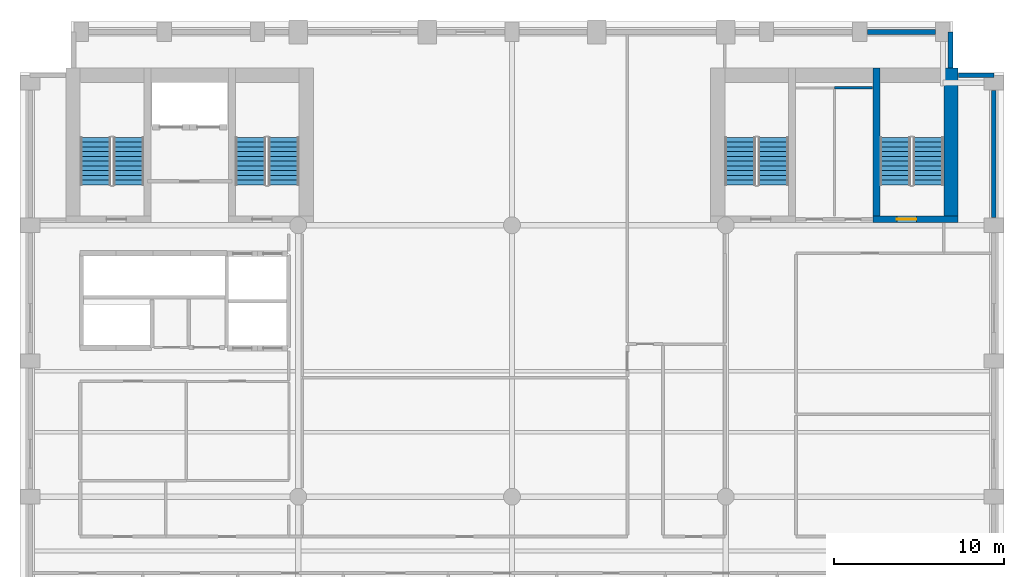
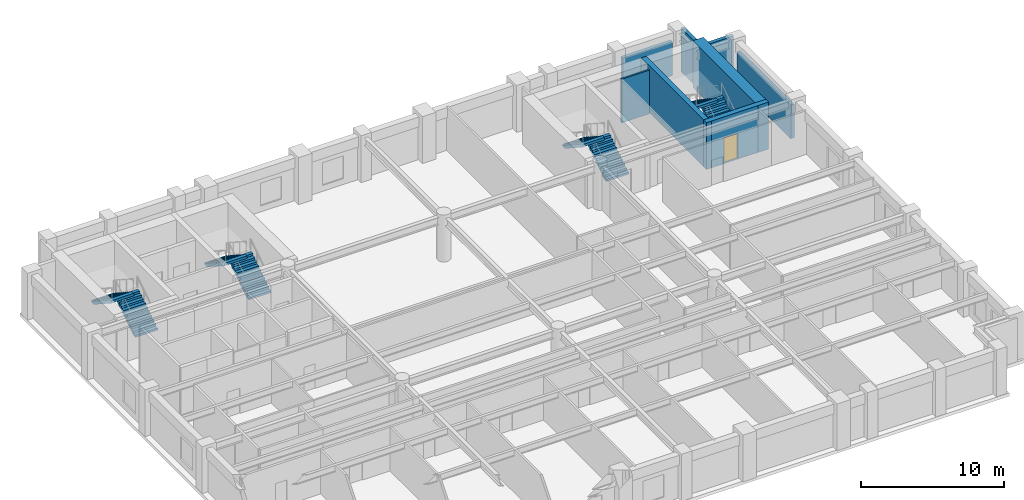
# One storey, part 6 of 8: 8 stair flights, 8 walls, 1 door, 1 opening, 4 elements without a shape of their own.
"""IFC4 building model written with IfcOpenShell, lengths in metres."""

from ifc_helpers import new_model, si_unit, direction, frame, frame_2d, origin, place, context, subcontext, project, spatial, polyline, rectangle, outline, extrude, material, layer, layer_set, type_object, element, fill, aggregate, save


model = new_model("IFC4")

# Units and contexts
model_context = context("Model", 3, precision=1e-05, world=origin(), true_north=direction((0.0, 1.0)))
body_context = subcontext(model_context, "Body", "Model", "MODEL_VIEW")
ifc_project = project(units=[si_unit("LENGTHUNIT", "METRE"), si_unit("AREAUNIT", "SQUARE_METRE"), si_unit("VOLUMEUNIT", "CUBIC_METRE"), si_unit("PLANEANGLEUNIT", "RADIAN"), si_unit("MASSUNIT", "GRAM", prefix="KILO")], contexts=[model_context])

# Site, building, storey
site_placement = place(None, origin())
site = spatial("IfcSite", under=ifc_project, at=site_placement, CompositionType="ELEMENT")
building_placement = place(site_placement, origin())
building = spatial("IfcBuilding", under=site, at=building_placement, Name="Sulina Concourse Tower", CompositionType="ELEMENT")
storey_placement = place(building_placement, frame((0.0, 0.0, 152.60009765625)))
storey = spatial("IfcBuildingStorey", under=building, at=storey_placement, Name="L37", CompositionType="ELEMENT", Elevation=152.60009765625)

# Wall
ifc_material_1 = material(Name="Gypsum board on steel stud", Category="steel")
ifc_layer_1 = layer(ifc_material_1, 0.14990234375)
ifc_layer_set_1 = layer_set([ifc_layer_1], Name="Gypsum board on steel stud")
wall_type_1 = type_object("IfcWallType", Name="Inter-Tenancy Acoustic Partition 150mm", PredefinedType="PARTITIONING", material=ifc_layer_set_1)
wall_1_placement = place(storey_placement, frame((48.0, 42.10009765625, 0.0), z_axis=(0.0, 0.0, 1.0), x_axis=(1.0, 0.0, 0.0)))
element("IfcWall", 1, at=wall_1_placement, inside=storey, type_object=wall_type_1, Name="L37 interior partition 031", PredefinedType="PARTITIONING", context=body_context, shape_type="SweptSolid", body=[
    extrude(rectangle(XDim=2.25, YDim=0.14990234375, at=frame_2d((1.125, 0.0))), origin(), (0.0, 0.0, 1.0), 3.724853515625),
])

# Wall, opening, door
ifc_material_2 = material(Name="Concrete C60/75", Category="concrete")
ifc_layer_2 = layer(ifc_material_2, 0.39990234375)
ifc_layer_set_2 = layer_set([ifc_layer_2], Name="Concrete C60/75")
wall_type_2 = type_object("IfcWallType", Name="Protected Stair Core Shear Wall 400mm", PredefinedType="SHEAR", material=ifc_layer_set_2)
wall_2_placement = place(storey_placement, frame((50.2900390625, 34.35009765625, 0.0), z_axis=(0.0, 0.0, 1.0), x_axis=(1.0, 0.0, 0.0)))
wall_2 = element("IfcWall", 2, at=wall_2_placement, inside=storey, type_object=wall_type_2, Name="L37 east core shear wall CW-ES2", PredefinedType="SHEAR", context=body_context, shape_type="SweptSolid", body=[
    extrude(rectangle(XDim=5.010009765625, YDim=0.39990234375, at=frame_2d((2.5048828125, 0.0))), origin(), (0.0, 0.0, 1.0), 4.0),
])
opening_placement = place(wall_2_placement, frame((1.39990234375, 0.0, 0.0)))
opening = element("IfcOpeningElement", 3, at=opening_placement, cuts=wall_2, Name="Opening DR-60", PredefinedType="OPENING", context=body_context, shape_type="SweptSolid", body=[
    extrude(rectangle(XDim=1.14990234375, YDim=2.199951171875, at=frame_2d((0.574951171875, 1.10009765625))), frame((0.0, 0.2099609375, 0.0), z_axis=(0.0, -1.0, 0.0), x_axis=(1.0, 0.0, 0.0)), (0.0, 0.0, 1.0), 0.419921875),
])
ifc_material_3 = material(Name="Galvanised steel acoustic fire leaf", Category="steel")
ifc_layer_3 = layer(ifc_material_3, 0.054931640625)
ifc_layer_set_3 = layer_set([ifc_layer_3], Name="Galvanised steel acoustic fire leaf")
door_type = type_object("IfcDoorType", Name="Protected Exit Stair Fire Door 1150x2200", OperationType="NOTDEFINED", PredefinedType="DOOR", material=ifc_layer_set_3)
door_placement = place(opening_placement, origin())
door = element("IfcDoor", 4, at=door_placement, inside=storey, type_object=door_type, Name="L37 stair ST-4 south lobby fire door", OperationType="SINGLE_SWING_RIGHT", OverallHeight=2.199951171875, OverallWidth=1.14990234375, PredefinedType="DOOR", context=body_context, shape_type="SweptSolid", body=[
    extrude(rectangle(XDim=1.14990234375, YDim=2.199951171875, at=frame_2d((0.574951171875, 1.10009765625))), frame((0.0, 0.02490234375, 0.0), z_axis=(0.0, -1.0, 0.0), x_axis=(1.0, 0.0, 0.0)), (0.0, 0.0, 1.0), 0.050048828125),
])
fill(opening, door)

# Walls
wall_3_placement = place(storey_placement, frame((50.489990234375, 34.14990234375, 0.0), z_axis=(0.0, 0.0, 1.0), x_axis=(0.0, 1.0, 0.0)))
element("IfcWall", 5, at=wall_3_placement, inside=storey, type_object=wall_type_2, Name="L37 east core shear wall SW-ST4", PredefinedType="SHEAR", context=body_context, shape_type="SweptSolid", body=[
    extrude(rectangle(XDim=9.130126953125, YDim=0.39990234375, at=frame_2d((4.56494140625, 0.0))), origin(), (0.0, 0.0, 1.0), 4.0),
])
ifc_material_4 = material(Name="Concrete C60/75", Category="concrete")
ifc_layer_4 = layer(ifc_material_4, 0.85009765625)
ifc_layer_set_4 = layer_set([ifc_layer_4], Name="Concrete C60/75")
wall_type_3 = type_object("IfcWallType", Name="Rear Core Shear Wall 850mm", PredefinedType="SHEAR", material=ifc_layer_set_4)
wall_4_placement = place(storey_placement, frame((54.875, 34.14990234375, 0.0), z_axis=(0.0, 0.0, 1.0), x_axis=(0.0, 1.0, 0.0)))
element("IfcWall", 6, at=wall_4_placement, inside=storey, type_object=wall_type_3, Name="L37 east core shear wall CW-EE", PredefinedType="SHEAR", context=body_context, shape_type="SweptSolid", body=[
    extrude(rectangle(XDim=9.130126953125, YDim=0.85009765625, at=frame_2d((4.56494140625, 0.0))), origin(), (0.0, 0.0, 1.0), 4.0),
])
ifc_material_5 = material(Name="Precast concrete C50/60", Category="concrete")
ifc_layer_5 = layer(ifc_material_5, 0.280029296875)
ifc_layer_set_5 = layer_set([ifc_layer_5], Name="Precast concrete C50/60")
wall_type_4 = type_object("IfcWallType", Name="Typical Precast Masonry-Frame Facade Wall 280mm", PredefinedType="SOLIDWALL", material=ifc_layer_set_5)
wall_5_placement = place(storey_placement, frame((49.945068359375, 45.39990234375, 0.0), z_axis=(0.0, 0.0, 1.0), x_axis=(1.0, 0.0, 0.0)))
element("IfcWall", 7, at=wall_5_placement, inside=storey, type_object=wall_type_4, Name="L37 exterior precast wall N10", PredefinedType="SOLIDWALL", context=body_context, shape_type="SweptSolid", body=[
    extrude(rectangle(XDim=4.010009765625, YDim=0.280029296875, at=frame_2d((2.0048828125, 0.0))), origin(), (0.0, 0.0, 1.0), 2.875),
])
wall_6_placement = place(storey_placement, frame((57.39990234375, 41.955078125, 0.0), z_axis=(0.0, 0.0, 1.0), x_axis=(0.0, -1.0, 0.0)))
element("IfcWall", 8, at=wall_6_placement, inside=storey, type_object=wall_type_4, Name="L37 exterior precast wall E5", PredefinedType="SOLIDWALL", context=body_context, shape_type="SweptSolid", body=[
    extrude(rectangle(XDim=7.510009765625, YDim=0.280029296875, at=frame_2d((3.7548828125, 0.0))), origin(), (0.0, 0.0, 1.0), 2.875),
])
wall_7_placement = place(storey_placement, frame((54.844970703125, 45.39990234375, 0.0), z_axis=(0.0, 0.0, 1.0), x_axis=(0.0, -1.0, 0.0)))
element("IfcWall", 9, at=wall_7_placement, inside=storey, type_object=wall_type_4, Name="L37 exterior precast wall CNE1", PredefinedType="SOLIDWALL", context=body_context, shape_type="SweptSolid", body=[
    extrude(rectangle(XDim=2.114990234375, YDim=0.280029296875, at=frame_2d((1.0576171875, 0.0))), origin(), (0.0, 0.0, 1.0), 3.724853515625),
])
wall_8_placement = place(storey_placement, frame((55.304931640625, 42.844970703125, 0.0), z_axis=(0.0, 0.0, 1.0), x_axis=(1.0, 0.0, 0.0)))
element("IfcWall", 10, at=wall_8_placement, inside=storey, type_object=wall_type_4, Name="L37 exterior precast wall CNE2", PredefinedType="SOLIDWALL", context=body_context, shape_type="SweptSolid", body=[
    extrude(rectangle(XDim=2.094970703125, YDim=0.280029296875, at=frame_2d((1.04736328125, 0.0))), origin(), (0.0, 0.0, 1.0), 3.724853515625),
])

# Stair, stair flights
ifc_material_6 = material(Name="Concrete C50/60", Category="concrete")
stair_type_1 = type_object("IfcStairType", Name="Portal & Podium Core Exit Stair 1820mm", PredefinedType="HALF_TURN_STAIR", material=ifc_material_6)
stair_1_placement = place(storey_placement, origin())
stair_1 = element("IfcStair", 11, at=stair_1_placement, inside=storey, type_object=stair_type_1, Name="L37 ST-3", PredefinedType="HALF_TURN_STAIR")
ifc_material_7 = material(Name="Concrete C50/60", Category="concrete")
stair_flight_type_1 = type_object("IfcStairFlightType", Name="Portal & Podium Core Exit Stair 1820mm Flight", PredefinedType="STRAIGHT", material=ifc_material_7)
stair_flight_1_placement = place(storey_placement, frame((44.405029296875, 36.375, 0.0), z_axis=(0.0, 0.0, 1.0), x_axis=(0.0, 1.0, 0.0)))
stair_flight_1 = element("IfcStairFlight", 12, at=stair_flight_1_placement, type_object=stair_flight_type_1, Name="ST-3 flight 1", NumberOfRisers=11, NumberOfTreads=10, PredefinedType="STRAIGHT", RiserHeight=0.181818182, TreadLength=0.28, context=body_context, shape_type="SweptSolid", body=[
    extrude(outline(polyline([(0.0, 0.0), (0.0, 0.181884765625), (0.280029296875, 0.181884765625), (0.280029296875, 0.363525390625), (0.56005859375, 0.363525390625), (0.56005859375, 0.54541015625), (0.840087890625, 0.54541015625), (0.840087890625, 0.727294921875), (1.1201171875, 0.727294921875), (1.1201171875, 0.9091796875), (1.39990234375, 0.9091796875), (1.39990234375, 1.0908203125), (1.679931640625, 1.0908203125), (1.679931640625, 1.272705078125), (1.9599609375, 1.272705078125), (1.9599609375, 1.45458984375), (2.239990234375, 1.45458984375), (2.239990234375, 1.636474609375), (2.52001953125, 1.636474609375), (2.52001953125, 1.818115234375), (2.800048828125, 1.818115234375), (2.800048828125, 2.0), (2.800048828125, 1.603759765625), (0.330322265625, 0.0), (0.0, 0.0)])), frame((0.0, 0.89990234375, 0.0), z_axis=(0.0, -1.0, 0.0), x_axis=(1.0, 0.0, 0.0)), (0.0, 0.0, 1.0), 1.800048828125),
])
stair_flight_2_placement = place(storey_placement, frame((42.455078125, 39.175048828125, 2.0), z_axis=(0.0, 0.0, 1.0), x_axis=(0.0, -1.0, 0.0)))
stair_flight_2 = element("IfcStairFlight", 13, at=stair_flight_2_placement, type_object=stair_flight_type_1, Name="ST-3 flight 2", NumberOfRisers=11, NumberOfTreads=10, PredefinedType="STRAIGHT", RiserHeight=0.181818182, TreadLength=0.28, context=body_context, shape_type="SweptSolid", body=[
    extrude(outline(polyline([(0.0, 0.0), (0.0, 0.181884765625), (0.280029296875, 0.181884765625), (0.280029296875, 0.363525390625), (0.56005859375, 0.363525390625), (0.56005859375, 0.54541015625), (0.840087890625, 0.54541015625), (0.840087890625, 0.727294921875), (1.1201171875, 0.727294921875), (1.1201171875, 0.9091796875), (1.39990234375, 0.9091796875), (1.39990234375, 1.0908203125), (1.679931640625, 1.0908203125), (1.679931640625, 1.272705078125), (1.9599609375, 1.272705078125), (1.9599609375, 1.45458984375), (2.239990234375, 1.45458984375), (2.239990234375, 1.636474609375), (2.52001953125, 1.636474609375), (2.52001953125, 1.818115234375), (2.800048828125, 1.818115234375), (2.800048828125, 2.0), (2.800048828125, 1.603759765625), (0.330322265625, 0.0), (0.0, 0.0)])), frame((0.0, 0.89990234375, 0.0), z_axis=(0.0, -1.0, 0.0), x_axis=(1.0, 0.0, 0.0)), (0.0, 0.0, 1.0), 1.800048828125),
])
aggregate(stair_1, [stair_flight_1, stair_flight_2])

stair_2_placement = place(storey_placement, origin())
stair_2 = element("IfcStair", 14, at=stair_2_placement, inside=storey, type_object=stair_type_1, Name="L37 ST-4", PredefinedType="HALF_TURN_STAIR")
stair_flight_3_placement = place(storey_placement, frame((53.544921875, 36.375, 0.0), z_axis=(0.0, 0.0, 1.0), x_axis=(0.0, 1.0, 0.0)))
stair_flight_3 = element("IfcStairFlight", 15, at=stair_flight_3_placement, type_object=stair_flight_type_1, Name="ST-4 flight 1", NumberOfRisers=11, NumberOfTreads=10, PredefinedType="STRAIGHT", RiserHeight=0.181818182, TreadLength=0.28, context=body_context, shape_type="SweptSolid", body=[
    extrude(outline(polyline([(0.0, 0.0), (0.0, 0.181884765625), (0.280029296875, 0.181884765625), (0.280029296875, 0.363525390625), (0.56005859375, 0.363525390625), (0.56005859375, 0.54541015625), (0.840087890625, 0.54541015625), (0.840087890625, 0.727294921875), (1.1201171875, 0.727294921875), (1.1201171875, 0.9091796875), (1.39990234375, 0.9091796875), (1.39990234375, 1.0908203125), (1.679931640625, 1.0908203125), (1.679931640625, 1.272705078125), (1.9599609375, 1.272705078125), (1.9599609375, 1.45458984375), (2.239990234375, 1.45458984375), (2.239990234375, 1.636474609375), (2.52001953125, 1.636474609375), (2.52001953125, 1.818115234375), (2.800048828125, 1.818115234375), (2.800048828125, 2.0), (2.800048828125, 1.603759765625), (0.330322265625, 0.0), (0.0, 0.0)])), frame((0.0, 0.89990234375, 0.0), z_axis=(0.0, -1.0, 0.0), x_axis=(1.0, 0.0, 0.0)), (0.0, 0.0, 1.0), 1.800048828125),
])
stair_flight_4_placement = place(storey_placement, frame((51.594970703125, 39.175048828125, 2.0), z_axis=(0.0, 0.0, 1.0), x_axis=(0.0, -1.0, 0.0)))
stair_flight_4 = element("IfcStairFlight", 16, at=stair_flight_4_placement, type_object=stair_flight_type_1, Name="ST-4 flight 2", NumberOfRisers=11, NumberOfTreads=10, PredefinedType="STRAIGHT", RiserHeight=0.181818182, TreadLength=0.28, context=body_context, shape_type="SweptSolid", body=[
    extrude(outline(polyline([(0.0, 0.0), (0.0, 0.181884765625), (0.280029296875, 0.181884765625), (0.280029296875, 0.363525390625), (0.56005859375, 0.363525390625), (0.56005859375, 0.54541015625), (0.840087890625, 0.54541015625), (0.840087890625, 0.727294921875), (1.1201171875, 0.727294921875), (1.1201171875, 0.9091796875), (1.39990234375, 0.9091796875), (1.39990234375, 1.0908203125), (1.679931640625, 1.0908203125), (1.679931640625, 1.272705078125), (1.9599609375, 1.272705078125), (1.9599609375, 1.45458984375), (2.239990234375, 1.45458984375), (2.239990234375, 1.636474609375), (2.52001953125, 1.636474609375), (2.52001953125, 1.818115234375), (2.800048828125, 1.818115234375), (2.800048828125, 2.0), (2.800048828125, 1.603759765625), (0.330322265625, 0.0), (0.0, 0.0)])), frame((0.0, 0.89990234375, 0.0), z_axis=(0.0, -1.0, 0.0), x_axis=(1.0, 0.0, 0.0)), (0.0, 0.0, 1.0), 1.800048828125),
])
aggregate(stair_2, [stair_flight_3, stair_flight_4])

ifc_material_8 = material(Name="Concrete C50/60", Category="concrete")
stair_type_2 = type_object("IfcStairType", Name="Primary Core Dog-Leg Exit Stair 1800mm", PredefinedType="HALF_TURN_STAIR", material=ifc_material_8)
stair_3_placement = place(storey_placement, origin())
stair_3 = element("IfcStair", 17, at=stair_3_placement, inside=storey, type_object=stair_type_2, Name="L37 ST-1", PredefinedType="HALF_TURN_STAIR")
ifc_material_9 = material(Name="Concrete C50/60", Category="concrete")
stair_flight_type_2 = type_object("IfcStairFlightType", Name="Primary Core Dog-Leg Exit Stair 1800mm Flight", PredefinedType="STRAIGHT", material=ifc_material_9)
stair_flight_5_placement = place(storey_placement, frame((6.405029296875, 36.375, 0.0), z_axis=(0.0, 0.0, 1.0), x_axis=(0.0, 1.0, 0.0)))
stair_flight_5 = element("IfcStairFlight", 18, at=stair_flight_5_placement, type_object=stair_flight_type_2, Name="ST-1 flight 1", NumberOfRisers=11, NumberOfTreads=10, PredefinedType="STRAIGHT", RiserHeight=0.181818182, TreadLength=0.28, context=body_context, shape_type="SweptSolid", body=[
    extrude(outline(polyline([(0.0, 0.0), (0.0, 0.181884765625), (0.280029296875, 0.181884765625), (0.280029296875, 0.363525390625), (0.56005859375, 0.363525390625), (0.56005859375, 0.54541015625), (0.840087890625, 0.54541015625), (0.840087890625, 0.727294921875), (1.1201171875, 0.727294921875), (1.1201171875, 0.9091796875), (1.39990234375, 0.9091796875), (1.39990234375, 1.0908203125), (1.679931640625, 1.0908203125), (1.679931640625, 1.272705078125), (1.9599609375, 1.272705078125), (1.9599609375, 1.45458984375), (2.239990234375, 1.45458984375), (2.239990234375, 1.636474609375), (2.52001953125, 1.636474609375), (2.52001953125, 1.818115234375), (2.800048828125, 1.818115234375), (2.800048828125, 2.0), (2.800048828125, 1.603759765625), (0.330322265625, 0.0), (0.0, 0.0)])), frame((0.0, 0.89990234375, 0.0), z_axis=(0.0, -1.0, 0.0), x_axis=(1.0, 0.0, 0.0)), (0.0, 0.0, 1.0), 1.800048828125),
])
stair_flight_6_placement = place(storey_placement, frame((4.455078125, 39.175048828125, 2.0), z_axis=(0.0, 0.0, 1.0), x_axis=(0.0, -1.0, 0.0)))
stair_flight_6 = element("IfcStairFlight", 19, at=stair_flight_6_placement, type_object=stair_flight_type_2, Name="ST-1 flight 2", NumberOfRisers=11, NumberOfTreads=10, PredefinedType="STRAIGHT", RiserHeight=0.181818182, TreadLength=0.28, context=body_context, shape_type="SweptSolid", body=[
    extrude(outline(polyline([(0.0, 0.0), (0.0, 0.181884765625), (0.280029296875, 0.181884765625), (0.280029296875, 0.363525390625), (0.56005859375, 0.363525390625), (0.56005859375, 0.54541015625), (0.840087890625, 0.54541015625), (0.840087890625, 0.727294921875), (1.1201171875, 0.727294921875), (1.1201171875, 0.9091796875), (1.39990234375, 0.9091796875), (1.39990234375, 1.0908203125), (1.679931640625, 1.0908203125), (1.679931640625, 1.272705078125), (1.9599609375, 1.272705078125), (1.9599609375, 1.45458984375), (2.239990234375, 1.45458984375), (2.239990234375, 1.636474609375), (2.52001953125, 1.636474609375), (2.52001953125, 1.818115234375), (2.800048828125, 1.818115234375), (2.800048828125, 2.0), (2.800048828125, 1.603759765625), (0.330322265625, 0.0), (0.0, 0.0)])), frame((0.0, 0.89990234375, 0.0), z_axis=(0.0, -1.0, 0.0), x_axis=(1.0, 0.0, 0.0)), (0.0, 0.0, 1.0), 1.800048828125),
])
aggregate(stair_3, [stair_flight_5, stair_flight_6])

stair_4_placement = place(storey_placement, origin())
stair_4 = element("IfcStair", 20, at=stair_4_placement, inside=storey, type_object=stair_type_2, Name="L37 ST-2", PredefinedType="HALF_TURN_STAIR")
stair_flight_7_placement = place(storey_placement, frame((15.544921875, 36.375, 0.0), z_axis=(0.0, 0.0, 1.0), x_axis=(0.0, 1.0, 0.0)))
stair_flight_7 = element("IfcStairFlight", 21, at=stair_flight_7_placement, type_object=stair_flight_type_2, Name="ST-2 flight 1", NumberOfRisers=11, NumberOfTreads=10, PredefinedType="STRAIGHT", RiserHeight=0.181818182, TreadLength=0.28, context=body_context, shape_type="SweptSolid", body=[
    extrude(outline(polyline([(0.0, 0.0), (0.0, 0.181884765625), (0.280029296875, 0.181884765625), (0.280029296875, 0.363525390625), (0.56005859375, 0.363525390625), (0.56005859375, 0.54541015625), (0.840087890625, 0.54541015625), (0.840087890625, 0.727294921875), (1.1201171875, 0.727294921875), (1.1201171875, 0.9091796875), (1.39990234375, 0.9091796875), (1.39990234375, 1.0908203125), (1.679931640625, 1.0908203125), (1.679931640625, 1.272705078125), (1.9599609375, 1.272705078125), (1.9599609375, 1.45458984375), (2.239990234375, 1.45458984375), (2.239990234375, 1.636474609375), (2.52001953125, 1.636474609375), (2.52001953125, 1.818115234375), (2.800048828125, 1.818115234375), (2.800048828125, 2.0), (2.800048828125, 1.603759765625), (0.330322265625, 0.0), (0.0, 0.0)])), frame((0.0, 0.89990234375, 0.0), z_axis=(0.0, -1.0, 0.0), x_axis=(1.0, 0.0, 0.0)), (0.0, 0.0, 1.0), 1.800048828125),
])
stair_flight_8_placement = place(storey_placement, frame((13.594970703125, 39.175048828125, 2.0), z_axis=(0.0, 0.0, 1.0), x_axis=(0.0, -1.0, 0.0)))
stair_flight_8 = element("IfcStairFlight", 22, at=stair_flight_8_placement, type_object=stair_flight_type_2, Name="ST-2 flight 2", NumberOfRisers=11, NumberOfTreads=10, PredefinedType="STRAIGHT", RiserHeight=0.181818182, TreadLength=0.28, context=body_context, shape_type="SweptSolid", body=[
    extrude(outline(polyline([(0.0, 0.0), (0.0, 0.181884765625), (0.280029296875, 0.181884765625), (0.280029296875, 0.363525390625), (0.56005859375, 0.363525390625), (0.56005859375, 0.54541015625), (0.840087890625, 0.54541015625), (0.840087890625, 0.727294921875), (1.1201171875, 0.727294921875), (1.1201171875, 0.9091796875), (1.39990234375, 0.9091796875), (1.39990234375, 1.0908203125), (1.679931640625, 1.0908203125), (1.679931640625, 1.272705078125), (1.9599609375, 1.272705078125), (1.9599609375, 1.45458984375), (2.239990234375, 1.45458984375), (2.239990234375, 1.636474609375), (2.52001953125, 1.636474609375), (2.52001953125, 1.818115234375), (2.800048828125, 1.818115234375), (2.800048828125, 2.0), (2.800048828125, 1.603759765625), (0.330322265625, 0.0), (0.0, 0.0)])), frame((0.0, 0.89990234375, 0.0), z_axis=(0.0, -1.0, 0.0), x_axis=(1.0, 0.0, 0.0)), (0.0, 0.0, 1.0), 1.800048828125),
])
aggregate(stair_4, [stair_flight_7, stair_flight_8])

save(model, "model.ifc")
